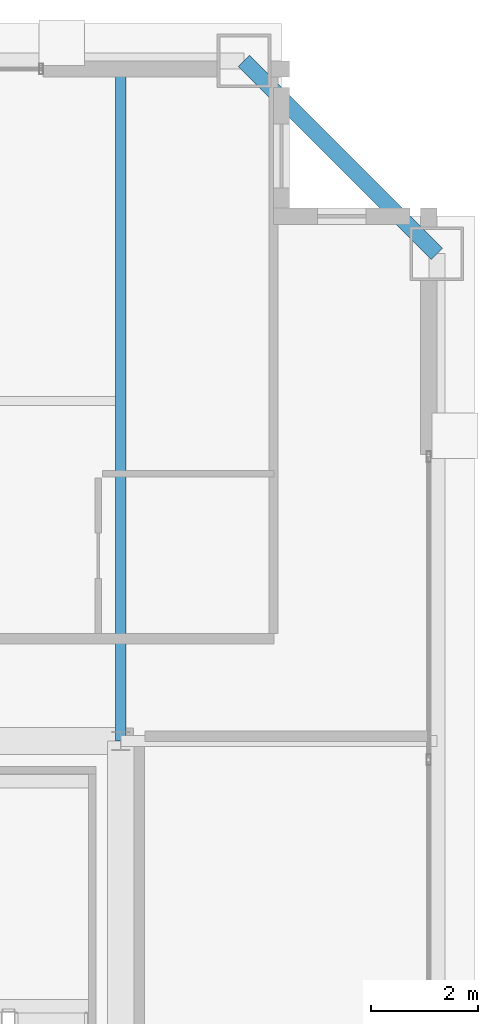
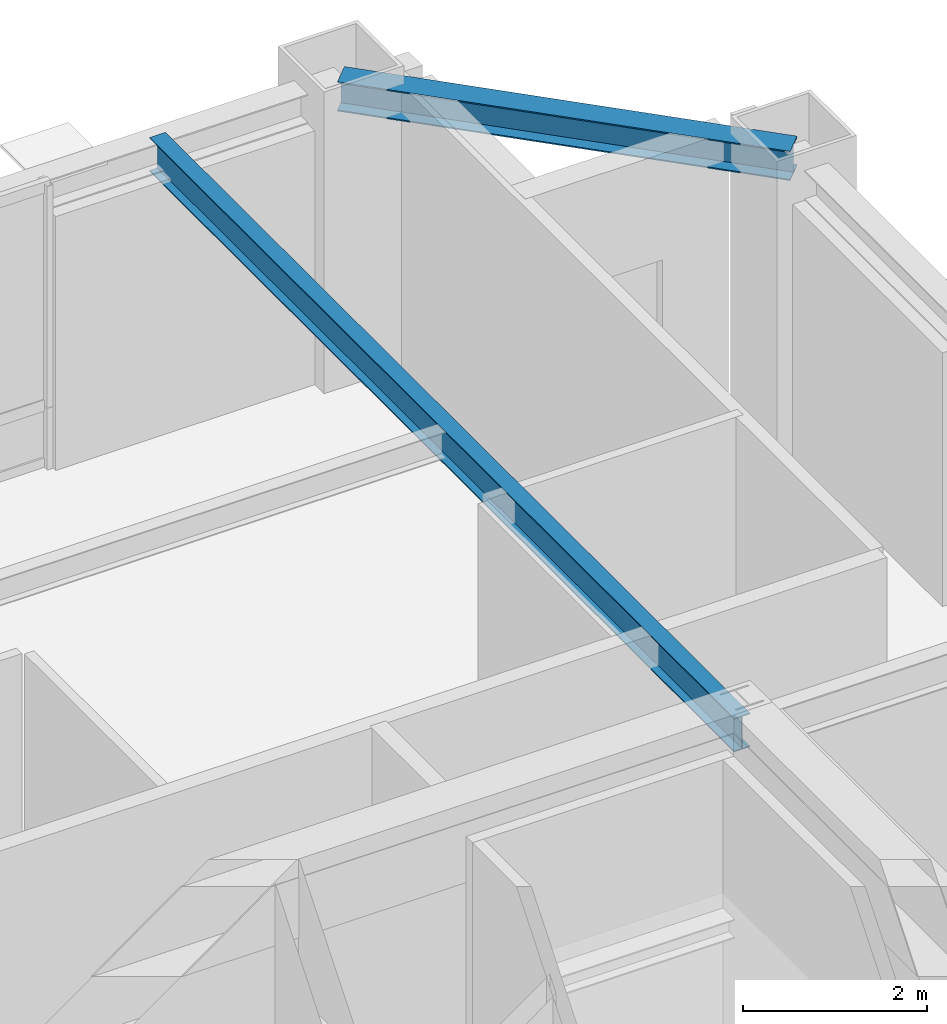
# One storey, part 20 of 34: 2 beams.
"""IFC4 building model written with IfcOpenShell, lengths in metres."""

from ifc_helpers import new_model, si_unit, direction, frame, origin, origin_2d, place, context, subcontext, project, spatial, i_section, extrude, source, transform, mapped, material, material_profile, profile_set, type_object, element, save


model = new_model("IFC4")

# Units and contexts
model_context = context("Model", 3, precision=1e-05, world=origin(), true_north=direction((0.0, 1.0)))
body_context = subcontext(model_context, "Body", "Model", "MODEL_VIEW")
ifc_project = project(units=[si_unit("LENGTHUNIT", "METRE"), si_unit("AREAUNIT", "SQUARE_METRE"), si_unit("VOLUMEUNIT", "CUBIC_METRE"), si_unit("PLANEANGLEUNIT", "RADIAN"), si_unit("MASSUNIT", "GRAM", prefix="KILO"), si_unit("THERMODYNAMICTEMPERATUREUNIT", "KELVIN"), si_unit("POWERUNIT", "WATT")], contexts=[model_context])

# Site, building, storey
site_placement = place(None, origin())
site = spatial("IfcSite", under=ifc_project, at=site_placement, CompositionType="ELEMENT")
building_placement = place(site_placement, origin())
building = spatial("IfcBuilding", under=site, at=building_placement, Name="Yuzanri Waterfront Tower", CompositionType="ELEMENT")
storey_placement = place(building_placement, frame((0.0, 0.0, 339.199951171875)))
storey = spatial("IfcBuildingStorey", under=building, at=storey_placement, Name="L91", CompositionType="ELEMENT", Elevation=339.199951171875)

# Beams
ifc_material_1 = material(Name="Steel Q355B", Category="steel")
ifc_material_profile_1 = material_profile(ifc_material_1, i_section(OverallWidth=0.300048828125, OverallDepth=0.389892578125, WebThickness=0.010009765625, FlangeThickness=0.01611328125, at=origin_2d()), Name="HM 390x300x10x16")
ifc_profile_set_1 = profile_set([ifc_material_profile_1], Name="Steel Q355B")
beam_type_1 = type_object("IfcBeamType", Name="Perimeter Spandrel Q355B HM 390x300", PredefinedType="SPANDREL", material=ifc_profile_set_1)
shared_shape_1 = source(origin(), body_context, "Body", "SweptSolid", [
    extrude(i_section(OverallWidth=0.300048828125, OverallDepth=0.389892578125, WebThickness=0.010009765625, FlangeThickness=0.01611328125, at=origin_2d()), origin(), (0.0, 0.0, 1.0), 5.091064453125),
])
beam_1_placement = place(storey_placement, frame((56.10009765625, 41.300048828125, 3.56494140625), z_axis=(-0.707130757816, 0.707082803744, 0.0), x_axis=(-0.707082803744, -0.707130757816, 0.0)))
element("IfcBeam", 1, at=beam_1_placement, inside=storey, type_object=beam_type_1, Name="L91 Perimeter Spandrel E3-N3", PredefinedType="SPANDREL", context=body_context, shape_type="MappedRepresentation", body=[
    mapped(shared_shape_1, transform((0.0, 0.0, 0.0), scale=1.0)),
])
ifc_material_2 = material(Name="Steel Q355B", Category="steel")
ifc_material_profile_2 = material_profile(ifc_material_2, i_section(OverallWidth=0.199951171875, OverallDepth=0.449951171875, WebThickness=0.009033203125, FlangeThickness=0.013916015625, at=origin_2d()), Name="HN 450x200x9x14")
ifc_profile_set_2 = profile_set([ifc_material_profile_2], Name="Steel Q355B")
beam_type_2 = type_object("IfcBeamType", Name="Secondary Floor Beam Q355B HN 450x200", PredefinedType="BEAM", material=ifc_profile_set_2)
shared_shape_2 = source(origin(), body_context, "Body", "SweptSolid", [
    extrude(i_section(OverallWidth=0.199951171875, OverallDepth=0.449951171875, WebThickness=0.009033203125, FlangeThickness=0.013916015625, at=origin_2d()), origin(), (0.0, 0.0, 1.0), 12.699951171875),
])
beam_2_placement = place(storey_placement, frame((50.199951171875, 32.199951171875, 3.53515625), z_axis=(0.0, 1.0, 0.0), x_axis=(-1.0, 0.0, 0.0)))
element("IfcBeam", 2, at=beam_2_placement, inside=storey, type_object=beam_type_2, Name="L91 North-East Core Line Beam", PredefinedType="BEAM", context=body_context, shape_type="MappedRepresentation", body=[
    mapped(shared_shape_2, transform((0.0, 0.0, 0.0), scale=1.0)),
])

save(model, "model.ifc")
